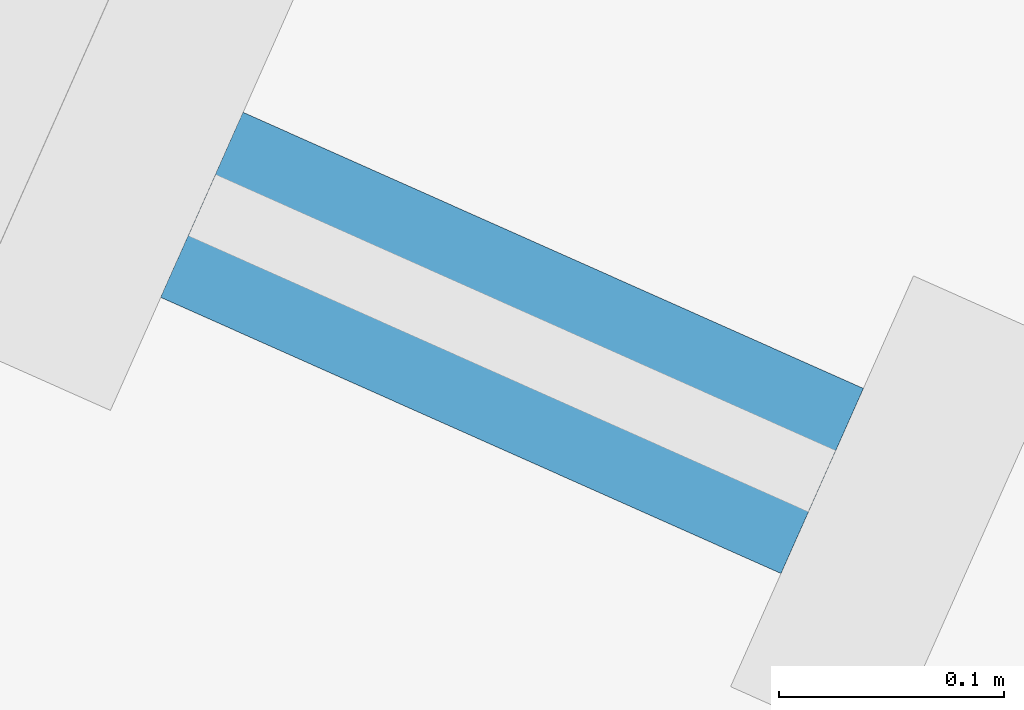
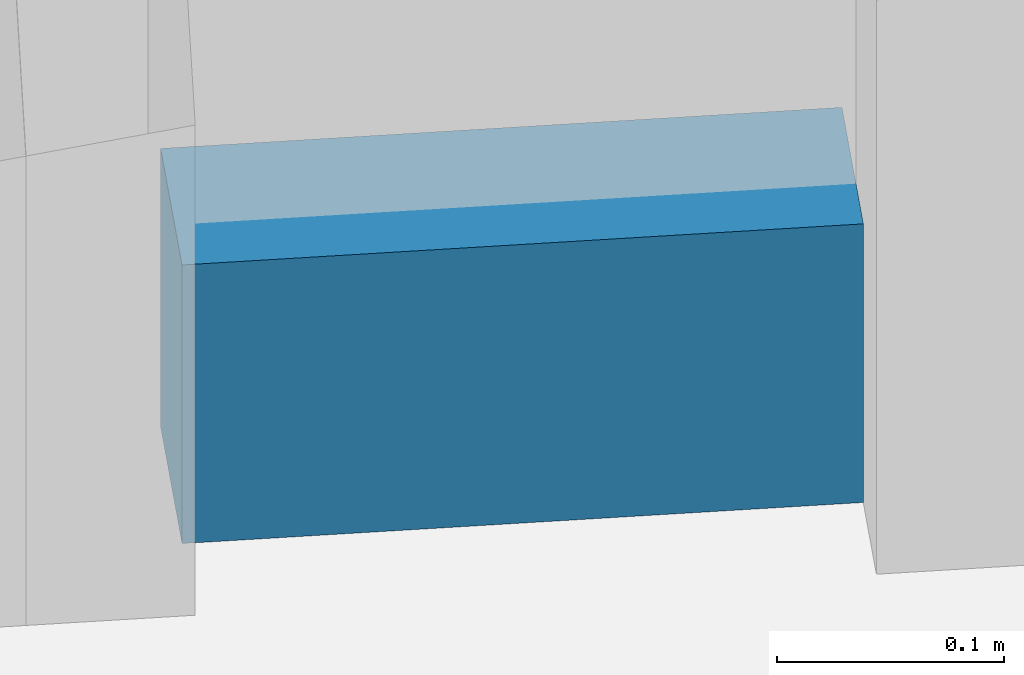
# One storey, part 11 of 25: 1 member, 1 element without a shape of its own.
"""IFC4 building model written with IfcOpenShell, lengths in metres."""

from ifc_helpers import new_model, si_unit, direction, frame, origin, origin_2d, place, context, subcontext, project, spatial, rectangle, extrude, material, material_profile, profile_set, type_object, element, aggregate, save


model = new_model("IFC4")

# Units and contexts
model_context = context("Model", 3, precision=1e-05, world=origin(), true_north=direction((0.0, 1.0)))
body_context = subcontext(model_context, "Body", "Model", "MODEL_VIEW")
ifc_project = project(units=[si_unit("LENGTHUNIT", "METRE"), si_unit("AREAUNIT", "SQUARE_METRE"), si_unit("VOLUMEUNIT", "CUBIC_METRE"), si_unit("PLANEANGLEUNIT", "RADIAN"), si_unit("MASSUNIT", "GRAM", prefix="KILO")], contexts=[model_context])

# Site, building, storey
site_placement = place(None, origin())
site = spatial("IfcSite", under=ifc_project, at=site_placement, CompositionType="ELEMENT")
building_placement = place(site_placement, origin())
building = spatial("IfcBuilding", under=site, at=building_placement, Name="Triune Harvest Tower", CompositionType="ELEMENT")
storey_placement = place(building_placement, frame((0.0, 0.0, 90.89990234375)))
storey = spatial("IfcBuildingStorey", under=building, at=storey_placement, Name="L22", CompositionType="ELEMENT", Elevation=90.89990234375)

# Curtain wall, member
ifc_material_1 = material(Name="Aluminium bronze anodised", Category="aluminium")
curtain_wall_type = type_object("IfcCurtainWallType", Name="CW-6 Balcony window wall", PredefinedType="NOTDEFINED", material=ifc_material_1)
curtain_wall_placement = place(storey_placement, origin())
curtain_wall = element("IfcCurtainWall", 1, at=curtain_wall_placement, inside=storey, type_object=curtain_wall_type, Name="CW-6 B2-F5 L22 run 302")
ifc_material_2 = material(Name="Aluminium bronze anodised", Category="aluminium")
ifc_material_profile = material_profile(ifc_material_2, rectangle(XDim=0.090087890625, YDim=0.14990234375, at=origin_2d()), Name="TR-6 transom 90 x 150")
ifc_profile_set = profile_set([ifc_material_profile], Name="Aluminium bronze anodised")
member_type = type_object("IfcMemberType", Name="TR-6 transom 90 x 150", PredefinedType="USERDEFINED", material=ifc_profile_set)
member_placement = place(storey_placement, frame((14.92822265625, -31.4921875, 0.0751953125), z_axis=(0.913578023204, -0.406663491745, 0.0), x_axis=(0.406663491745, 0.913578023204, 0.0)))
member = element("IfcMember", 2, at=member_placement, type_object=member_type, Name="CW-6 transom B2-F5 302.1", ObjectType="TRANSOM", PredefinedType="USERDEFINED", context=body_context, shape_type="SweptSolid", body=[
    extrude(rectangle(XDim=0.090087890625, YDim=0.14990234375, at=origin_2d()), origin(), (0.0, 0.0, 1.0), 0.302001953125),
])
aggregate(curtain_wall, [member])

save(model, "model.ifc")
